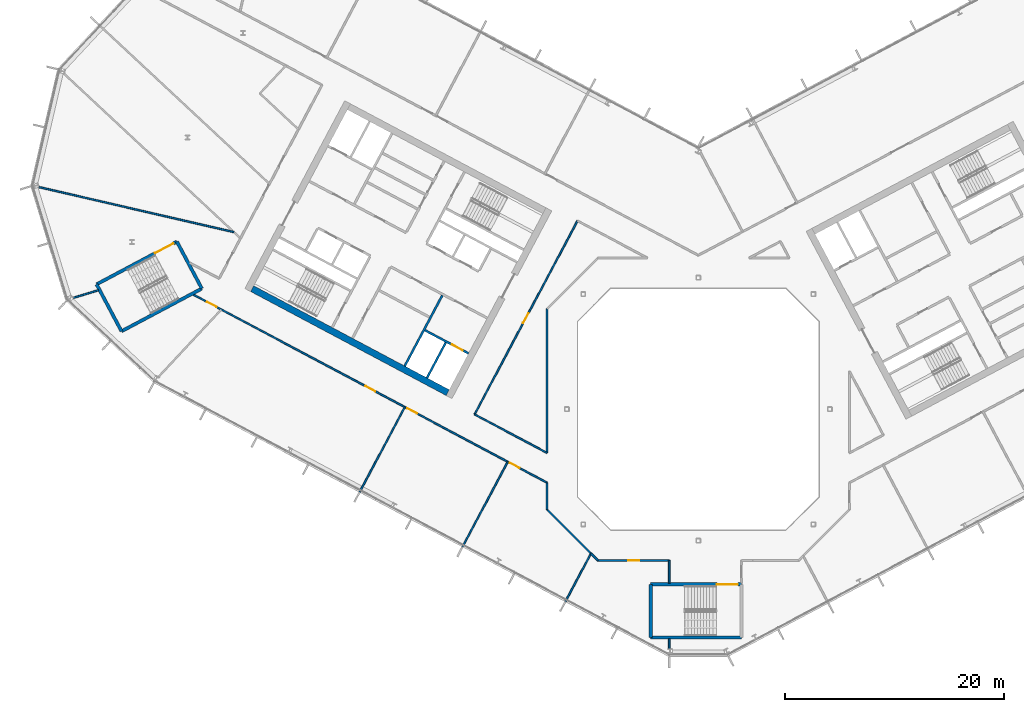
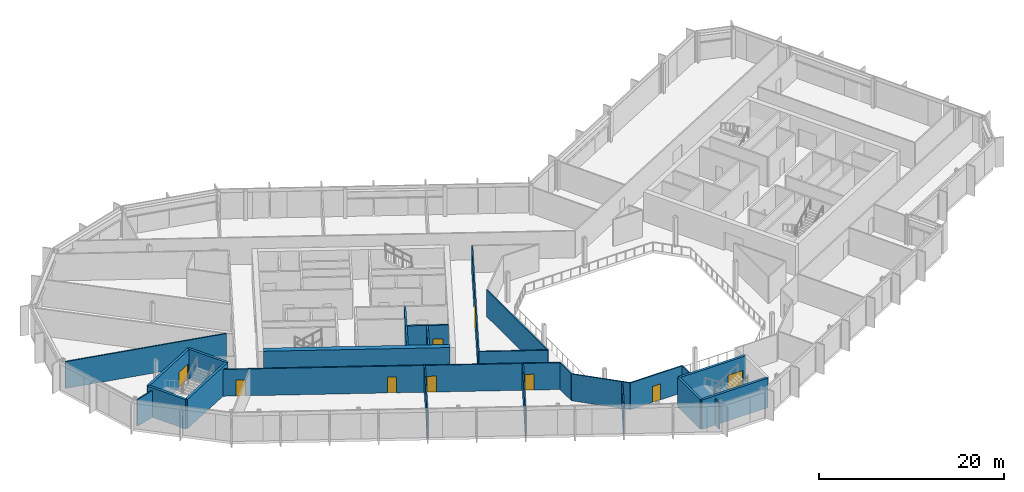
# One storey, part 13 of 27: 26 walls, 9 doors, 9 openings.
"""IFC4 building model written with IfcOpenShell, lengths in metres."""

from ifc_helpers import new_model, si_unit, direction, frame, frame_2d, origin, place, context, subcontext, project, spatial, rectangle, extrude, material, layer, layer_set, type_object, element, fill, save


model = new_model("IFC4")

# Units and contexts
model_context = context("Model", 3, precision=1e-05, world=origin(), true_north=direction((0.0, 1.0)))
body_context = subcontext(model_context, "Body", "Model", "MODEL_VIEW")
ifc_project = project(units=[si_unit("LENGTHUNIT", "METRE"), si_unit("AREAUNIT", "SQUARE_METRE"), si_unit("VOLUMEUNIT", "CUBIC_METRE"), si_unit("PLANEANGLEUNIT", "RADIAN"), si_unit("MASSUNIT", "GRAM", prefix="KILO")], contexts=[model_context])

# Site, building, storey
site_placement = place(None, origin())
site = spatial("IfcSite", under=ifc_project, at=site_placement, CompositionType="ELEMENT")
building_placement = place(site_placement, origin())
building = spatial("IfcBuilding", under=site, at=building_placement, Name="Cormorant Relay Tower", CompositionType="ELEMENT")
storey_placement = place(building_placement, frame((0.0, 0.0, 209.10009765625)))
storey = spatial("IfcBuildingStorey", under=building, at=storey_placement, Name="L45", CompositionType="ELEMENT", Elevation=209.10009765625)

# Walls
ifc_material_1 = material(Name="Concrete 50 MPa", Category="concrete")
ifc_layer_1 = layer(ifc_material_1, 0.199951171875)
ifc_layer_set_1 = layer_set([ifc_layer_1], Name="Core shaft wall 200")
wall_type_1 = type_object("IfcWallType", Name="Core shaft wall 200", PredefinedType="SHEAR", material=ifc_layer_set_1)
wall_1_placement = place(storey_placement, frame((-23.04296875, 6.07958984375, 0.0), z_axis=(0.0, 0.0, 1.0), x_axis=(-0.469494272526, -0.882935517501, 0.0)))
element("IfcWall", 1, at=wall_1_placement, inside=storey, type_object=wall_type_1, Name="L45 core A shaft wall", PredefinedType="SHEAR", context=body_context, shape_type="SweptSolid", body=[
    extrude(rectangle(XDim=3.64990234375, YDim=0.199951171875, at=frame_2d((1.824951171875, 0.0))), origin(), (0.0, 0.0, 1.0), 3.89990234375),
])
wall_2_placement = place(storey_placement, frame((-23.360107421875, 10.38232421875, 0.0), z_axis=(0.0, 0.0, 1.0), x_axis=(-0.469480409012, -0.88294288918, 0.0)))
element("IfcWall", 2, at=wall_2_placement, inside=storey, type_object=wall_type_1, Name="L45 core A shaft wall", PredefinedType="SHEAR", context=body_context, shape_type="SweptSolid", body=[
    extrude(rectangle(XDim=7.300048828125, YDim=0.199951171875, at=frame_2d((3.64990234375, 0.0))), origin(), (0.0, 0.0, 1.0), 3.89990234375),
])

# Wall, opening, door
wall_3_placement = place(storey_placement, frame((-20.96533203125, 5.088134765625, 0.0), z_axis=(0.0, 0.0, 1.0), x_axis=(-0.882925986334, 0.469512196493, 0.0)))
wall_3 = element("IfcWall", 3, at=wall_3_placement, inside=storey, type_object=wall_type_1, Name="L45 core A shaft wall", PredefinedType="SHEAR", context=body_context, shape_type="SweptSolid", body=[
    extrude(rectangle(XDim=4.5, YDim=0.199951171875, at=frame_2d((2.25, 0.0))), origin(), (0.0, 0.0, 1.0), 3.89990234375),
])
opening_1_placement = place(wall_3_placement, frame((0.60009765625, 0.0, 0.0)))
opening_1 = element("IfcOpeningElement", 4, at=opening_1_placement, cuts=wall_3, Name="Opening LD1-063", PredefinedType="OPENING", context=body_context, shape_type="SweptSolid", body=[
    extrude(rectangle(XDim=1.10009765625, YDim=2.10009765625, at=frame_2d((0.550048828125, 1.050048828125))), frame((0.0, 0.10986328125, 0.0), z_axis=(0.0, -1.0, 0.0), x_axis=(1.0, 0.0, 0.0)), (0.0, 0.0, 1.0), 0.219970703125),
])
ifc_material_2 = material(Name="Stainless steel 316", Category="steel")
door_type_1 = type_object("IfcDoorType", Name="Lift landing door 1100x2100", OperationType="DOUBLE_DOOR_SLIDING", PredefinedType="DOOR", material=ifc_material_2)
door_1_placement = place(opening_1_placement, origin())
door_1 = element("IfcDoor", 5, at=door_1_placement, inside=storey, type_object=door_type_1, Name="FF1 landing door", OperationType="DOUBLE_DOOR_SLIDING", OverallHeight=2.10009765625, OverallWidth=1.10009765625, PredefinedType="DOOR", context=body_context, shape_type="SweptSolid", body=[
    extrude(rectangle(XDim=1.10009765625, YDim=2.10009765625, at=frame_2d((0.550048828125, 1.050048828125))), frame((0.0, 0.02490234375, 0.0), z_axis=(0.0, -1.0, 0.0), x_axis=(1.0, 0.0, 0.0)), (0.0, 0.0, 1.0), 0.050048828125),
])
fill(opening_1, door_1)

# Wall
ifc_material_3 = material(Name="Concrete 50 MPa", Category="concrete")
ifc_layer_2 = layer(ifc_material_3, 0.60009765625)
ifc_layer_set_2 = layer_set([ifc_layer_2], Name="Core wall 600")
wall_type_2 = type_object("IfcWallType", Name="Core wall 600", PredefinedType="SHEAR", material=ifc_layer_set_2)
wall_4_placement = place(storey_placement, frame((-22.86669921875, 1.51220703125, 0.0), z_axis=(0.0, 0.0, 1.0), x_axis=(-0.88294509198, 0.469476266226, 0.0)))
element("IfcWall", 6, at=wall_4_placement, inside=storey, type_object=wall_type_2, Name="L45 core A wall", PredefinedType="SHEAR", context=body_context, shape_type="SweptSolid", body=[
    extrude(rectangle(XDim=20.199951171875, YDim=0.60009765625, at=frame_2d((10.10009765625, 0.0))), origin(), (0.0, 0.0, 1.0), 3.89990234375),
])

# Wall, openings, doors
ifc_material_4 = material(Name="Gypsum board fire partition")
ifc_layer_3 = layer(ifc_material_4, 0.14990234375)
ifc_layer_set_3 = layer_set([ifc_layer_3], Name="Corridor partition 150 EI 60")
wall_type_3 = type_object("IfcWallType", Name="Corridor partition 150 EI 60", PredefinedType="PARTITIONING", material=ifc_layer_set_3)
wall_5_placement = place(storey_placement, frame((-13.800048828125, -6.7060546875, 0.0), z_axis=(0.0, 0.0, 1.0), x_axis=(-0.882947286887, 0.469472138235, 0.0)))
wall_5 = element("IfcWall", 7, at=wall_5_placement, inside=storey, type_object=wall_type_3, Name="wall/L45/part/015", PredefinedType="PARTITIONING", context=body_context, shape_type="SweptSolid", body=[
    extrude(rectangle(XDim=36.57080078125, YDim=0.14990234375, at=frame_2d((18.285400390625, 0.0))), origin(), (0.0, 0.0, 1.0), 3.539794921875),
])
opening_2_placement = place(wall_5_placement, frame((34.14990234375, 0.0, 0.0)))
opening_2 = element("IfcOpeningElement", 8, at=opening_2_placement, cuts=wall_5, Name="Opening DS-114", PredefinedType="OPENING", context=body_context, shape_type="SweptSolid", body=[
    extrude(rectangle(XDim=1.0, YDim=2.10009765625, at=frame_2d((0.5, 1.050048828125))), frame((0.0, 0.0849609375, 0.0), z_axis=(0.0, -1.0, 0.0), x_axis=(1.0, 0.0, 0.0)), (0.0, 0.0, 1.0), 0.169921875),
])
opening_3_placement = place(wall_5_placement, frame((17.75, 0.0, 0.0)))
opening_3 = element("IfcOpeningElement", 9, at=opening_3_placement, cuts=wall_5, Name="Opening DS-128", PredefinedType="OPENING", context=body_context, shape_type="SweptSolid", body=[
    extrude(rectangle(XDim=1.0, YDim=2.10009765625, at=frame_2d((0.5, 1.050048828125))), frame((0.0, 0.0849609375, 0.0), z_axis=(0.0, -1.0, 0.0), x_axis=(1.0, 0.0, 0.0)), (0.0, 0.0, 1.0), 0.169921875),
])
opening_4_placement = place(wall_5_placement, frame((13.449951171875, 0.0, 0.0)))
opening_4 = element("IfcOpeningElement", 10, at=opening_4_placement, cuts=wall_5, Name="Opening DS-129", PredefinedType="OPENING", context=body_context, shape_type="SweptSolid", body=[
    extrude(rectangle(XDim=1.0, YDim=2.10009765625, at=frame_2d((0.5, 1.050048828125))), frame((0.0, 0.0849609375, 0.0), z_axis=(0.0, -1.0, 0.0), x_axis=(1.0, 0.0, 0.0)), (0.0, 0.0, 1.0), 0.169921875),
])
opening_5_placement = place(wall_5_placement, frame((2.85009765625, 0.0, 0.0)))
opening_5 = element("IfcOpeningElement", 11, at=opening_5_placement, cuts=wall_5, Name="Opening DS-130", PredefinedType="OPENING", context=body_context, shape_type="SweptSolid", body=[
    extrude(rectangle(XDim=1.0, YDim=2.10009765625, at=frame_2d((0.5, 1.050048828125))), frame((0.0, 0.0849609375, 0.0), z_axis=(0.0, -1.0, 0.0), x_axis=(1.0, 0.0, 0.0)), (0.0, 0.0, 1.0), 0.169921875),
])
ifc_material_5 = material(Name="Timber door leaf", Category="wood")
door_type_2 = type_object("IfcDoorType", Name="Suite door 1000x2100", OperationType="SINGLE_SWING_LEFT", PredefinedType="DOOR", material=ifc_material_5)
door_2_placement = place(opening_2_placement, origin())
door_2 = element("IfcDoor", 12, at=door_2_placement, inside=storey, type_object=door_type_2, Name="door/L45/009", OperationType="SINGLE_SWING_LEFT", OverallHeight=2.10009765625, OverallWidth=1.0, PredefinedType="DOOR", context=body_context, shape_type="SweptSolid", body=[
    extrude(rectangle(XDim=1.0, YDim=2.10009765625, at=frame_2d((0.5, 1.050048828125))), frame((0.0, 0.02490234375, 0.0), z_axis=(0.0, -1.0, 0.0), x_axis=(1.0, 0.0, 0.0)), (0.0, 0.0, 1.0), 0.050048828125),
])
fill(opening_2, door_2)
door_3_placement = place(opening_3_placement, origin())
door_3 = element("IfcDoor", 13, at=door_3_placement, inside=storey, type_object=door_type_2, Name="door/L45/010", OperationType="SINGLE_SWING_LEFT", OverallHeight=2.10009765625, OverallWidth=1.0, PredefinedType="DOOR", context=body_context, shape_type="SweptSolid", body=[
    extrude(rectangle(XDim=1.0, YDim=2.10009765625, at=frame_2d((0.5, 1.050048828125))), frame((0.0, 0.02490234375, 0.0), z_axis=(0.0, -1.0, 0.0), x_axis=(1.0, 0.0, 0.0)), (0.0, 0.0, 1.0), 0.050048828125),
])
fill(opening_3, door_3)
door_4_placement = place(opening_4_placement, origin())
door_4 = element("IfcDoor", 14, at=door_4_placement, inside=storey, type_object=door_type_2, Name="door/L45/011", OperationType="SINGLE_SWING_RIGHT", OverallHeight=2.10009765625, OverallWidth=1.0, PredefinedType="DOOR", context=body_context, shape_type="SweptSolid", body=[
    extrude(rectangle(XDim=1.0, YDim=2.10009765625, at=frame_2d((0.5, 1.050048828125))), frame((0.0, 0.02490234375, 0.0), z_axis=(0.0, -1.0, 0.0), x_axis=(1.0, 0.0, 0.0)), (0.0, 0.0, 1.0), 0.050048828125),
])
fill(opening_4, door_4)
door_5_placement = place(opening_5_placement, origin())
door_5 = element("IfcDoor", 15, at=door_5_placement, inside=storey, type_object=door_type_2, Name="door/L45/012", OperationType="SINGLE_SWING_RIGHT", OverallHeight=2.10009765625, OverallWidth=1.0, PredefinedType="DOOR", context=body_context, shape_type="SweptSolid", body=[
    extrude(rectangle(XDim=1.0, YDim=2.10009765625, at=frame_2d((0.5, 1.050048828125))), frame((0.0, 0.02490234375, 0.0), z_axis=(0.0, -1.0, 0.0), x_axis=(1.0, 0.0, 0.0)), (0.0, 0.0, 1.0), 0.050048828125),
])
fill(opening_5, door_5)

# Walls
wall_6_placement = place(storey_placement, frame((-9.759033203125, -13.199951171875, 0.0), z_axis=(0.0, 0.0, 1.0), x_axis=(-0.707192226993, 0.707021325053, 0.0)))
element("IfcWall", 16, at=wall_6_placement, inside=storey, type_object=wall_type_3, Name="wall/L45/part/021", PredefinedType="PARTITIONING", context=body_context, shape_type="SweptSolid", body=[
    extrude(rectangle(XDim=5.714111328125, YDim=0.14990234375, at=frame_2d((2.85693359375, 0.0))), origin(), (0.0, 0.0, 1.0), 3.539794921875),
])
wall_7_placement = place(storey_placement, frame((-13.800048828125, -9.159912109375, 0.0), z_axis=(0.0, 0.0, 1.0), x_axis=(0.0, 1.0, 0.0)))
element("IfcWall", 17, at=wall_7_placement, inside=storey, type_object=wall_type_3, Name="wall/L45/part/022", PredefinedType="PARTITIONING", context=body_context, shape_type="SweptSolid", body=[
    extrude(rectangle(XDim=2.43701171875, YDim=0.14990234375, at=frame_2d((1.218505859375, 0.0))), origin(), (0.0, 0.0, 1.0), 3.539794921875),
])

# Wall, opening, door
wall_8_placement = place(storey_placement, frame((-2.64892578125, -13.800048828125, 0.0), z_axis=(0.0, 0.0, 1.0), x_axis=(-1.0, 0.0, 0.0)))
wall_8 = element("IfcWall", 18, at=wall_8_placement, inside=storey, type_object=wall_type_3, Name="wall/L45/part/025", PredefinedType="PARTITIONING", context=body_context, shape_type="SweptSolid", body=[
    extrude(rectangle(XDim=6.510986328125, YDim=0.14990234375, at=frame_2d((3.25537109375, 0.0))), origin(), (0.0, 0.0, 1.0), 3.539794921875),
])
opening_6_placement = place(wall_8_placement, frame((2.75, 0.0, 0.0)))
opening_6 = element("IfcOpeningElement", 19, at=opening_6_placement, cuts=wall_8, Name="Opening DS-131", PredefinedType="OPENING", context=body_context, shape_type="SweptSolid", body=[
    extrude(rectangle(XDim=1.0, YDim=2.10009765625, at=frame_2d((0.5, 1.050048828125))), frame((0.0, 0.0849609375, 0.0), z_axis=(0.0, -1.0, 0.0), x_axis=(1.0, 0.0, 0.0)), (0.0, 0.0, 1.0), 0.169921875),
])
door_6_placement = place(opening_6_placement, origin())
door_6 = element("IfcDoor", 20, at=door_6_placement, inside=storey, type_object=door_type_2, Name="door/L45/013", OperationType="SINGLE_SWING_LEFT", OverallHeight=2.10009765625, OverallWidth=1.0, PredefinedType="DOOR", context=body_context, shape_type="SweptSolid", body=[
    extrude(rectangle(XDim=1.0, YDim=2.10009765625, at=frame_2d((0.5, 1.050048828125))), frame((0.0, 0.02490234375, 0.0), z_axis=(0.0, -1.0, 0.0), x_axis=(1.0, 0.0, 0.0)), (0.0, 0.0, 1.0), 0.050048828125),
])
fill(opening_6, door_6)

# Walls
wall_9_placement = place(storey_placement, frame((-9.791015625, -13.1689453125, 0.0), z_axis=(0.0, 0.0, 1.0), x_axis=(0.707653231313, -0.706559908438, 0.0)))
element("IfcWall", 21, at=wall_9_placement, inside=storey, type_object=wall_type_3, Name="wall/L45/part/026", PredefinedType="PARTITIONING", context=body_context, shape_type="SweptSolid", body=[
    extrude(rectangle(XDim=0.893310546875, YDim=0.14990234375, at=frame_2d((0.44677734375, 0.0))), origin(), (0.0, 0.0, 1.0), 3.539794921875),
])
wall_10_placement = place(storey_placement, frame((-2.64892578125, -13.800048828125, 0.0), z_axis=(0.0, 0.0, 1.0), x_axis=(0.0, -1.0, 0.0)))
element("IfcWall", 22, at=wall_10_placement, inside=storey, type_object=wall_type_3, Name="wall/L45/part/027", PredefinedType="PARTITIONING", context=body_context, shape_type="SweptSolid", body=[
    extrude(rectangle(XDim=2.074951171875, YDim=0.14990234375, at=frame_2d((1.03759765625, 0.0))), origin(), (0.0, 0.0, 1.0), 3.539794921875),
])

# Wall, opening, door
wall_11_placement = place(storey_placement, frame((-20.410888671875, -0.472900390625, 0.0), z_axis=(0.0, 0.0, 1.0), x_axis=(0.469451816494, 0.882958091865, 0.0)))
wall_11 = element("IfcWall", 23, at=wall_11_placement, inside=storey, type_object=wall_type_3, Name="wall/L45/part/044", PredefinedType="PARTITIONING", context=body_context, shape_type="SweptSolid", body=[
    extrude(rectangle(XDim=19.999755859375, YDim=0.14990234375, at=frame_2d((10.0, 0.0))), origin(), (0.0, 0.0, 1.0), 3.539794921875),
])
opening_7_placement = place(wall_11_placement, frame((9.449951171875, 0.0, 0.0)))
opening_7 = element("IfcOpeningElement", 24, at=opening_7_placement, cuts=wall_11, Name="Opening DS-132", PredefinedType="OPENING", context=body_context, shape_type="SweptSolid", body=[
    extrude(rectangle(XDim=1.0, YDim=2.10009765625, at=frame_2d((0.5, 1.050048828125))), frame((0.0, 0.0849609375, 0.0), z_axis=(0.0, -1.0, 0.0), x_axis=(1.0, 0.0, 0.0)), (0.0, 0.0, 1.0), 0.169921875),
])
door_7_placement = place(opening_7_placement, frame((1.0, 0.0, 0.0), z_axis=(0.0, 0.0, 1.0), x_axis=(-1.0, 0.0, 0.0)))
door_7 = element("IfcDoor", 25, at=door_7_placement, inside=storey, type_object=door_type_2, Name="door/L45/014", OperationType="SINGLE_SWING_LEFT", OverallHeight=2.10009765625, OverallWidth=1.0, PredefinedType="DOOR", context=body_context, shape_type="SweptSolid", body=[
    extrude(rectangle(XDim=1.0, YDim=2.10009765625, at=frame_2d((0.5, 1.050048828125))), frame((0.0, 0.02490234375, 0.0), z_axis=(0.0, -1.0, 0.0), x_axis=(1.0, 0.0, 0.0)), (0.0, 0.0, 1.0), 0.050048828125),
])
fill(opening_7, door_7)

# Walls
wall_12_placement = place(storey_placement, frame((-13.800048828125, 9.159912109375, 0.0), z_axis=(0.0, 0.0, 1.0), x_axis=(0.0, -1.0, 0.0)))
element("IfcWall", 26, at=wall_12_placement, inside=storey, type_object=wall_type_3, Name="wall/L45/part/048", PredefinedType="PARTITIONING", context=body_context, shape_type="SweptSolid", body=[
    extrude(rectangle(XDim=13.14794921875, YDim=0.14990234375, at=frame_2d((6.573974609375, 0.0))), origin(), (0.0, 0.0, 1.0), 3.539794921875),
])
wall_13_placement = place(storey_placement, frame((-13.800048828125, -3.988037109375, 0.0), z_axis=(0.0, 0.0, 1.0), x_axis=(-0.88294256459, 0.469481019461, 0.0)))
element("IfcWall", 27, at=wall_13_placement, inside=storey, type_object=wall_type_3, Name="wall/L45/part/049", PredefinedType="PARTITIONING", context=body_context, shape_type="SweptSolid", body=[
    extrude(rectangle(XDim=7.4873046875, YDim=0.14990234375, at=frame_2d((3.74365234375, 0.0))), origin(), (0.0, 0.0, 1.0), 3.539794921875),
])
ifc_material_6 = material(Name="Concrete 50 MPa", Category="concrete")
ifc_layer_4 = layer(ifc_material_6, 0.300048828125)
ifc_layer_set_4 = layer_set([ifc_layer_4], Name="Remote stair wall 300")
wall_type_4 = type_object("IfcWallType", Name="Remote stair wall 300", PredefinedType="SHEAR", material=ifc_layer_set_4)
wall_14_placement = place(storey_placement, frame((3.949951171875, -20.824951171875, 0.0), z_axis=(0.0, 0.0, 1.0), x_axis=(-1.0, 0.0, 0.0)))
element("IfcWall", 28, at=wall_14_placement, inside=storey, type_object=wall_type_4, Name="L45 exit stair RK1 wall", PredefinedType="SHEAR", context=body_context, shape_type="SweptSolid", body=[
    extrude(rectangle(XDim=8.300048828125, YDim=0.300048828125, at=frame_2d((4.14990234375, 0.0))), origin(), (0.0, 0.0, 1.0), 3.89990234375),
])
wall_15_placement = place(storey_placement, frame((-4.35009765625, -20.824951171875, 0.0), z_axis=(0.0, 0.0, 1.0), x_axis=(0.0, 1.0, 0.0)))
element("IfcWall", 29, at=wall_15_placement, inside=storey, type_object=wall_type_4, Name="L45 exit stair RK1 wall", PredefinedType="SHEAR", context=body_context, shape_type="SweptSolid", body=[
    extrude(rectangle(XDim=4.849853515625, YDim=0.300048828125, at=frame_2d((2.4248046875, 0.0))), origin(), (0.0, 0.0, 1.0), 3.89990234375),
])

# Wall, opening, door
wall_16_placement = place(storey_placement, frame((-4.35009765625, -15.97509765625, 0.0), z_axis=(0.0, 0.0, 1.0), x_axis=(1.0, 0.0, 0.0)))
wall_16 = element("IfcWall", 30, at=wall_16_placement, inside=storey, type_object=wall_type_4, Name="L45 exit stair RK1 wall", PredefinedType="SHEAR", context=body_context, shape_type="SweptSolid", body=[
    extrude(rectangle(XDim=8.300048828125, YDim=0.300048828125, at=frame_2d((4.14990234375, 0.0))), origin(), (0.0, 0.0, 1.0), 3.89990234375),
])
opening_8_placement = place(wall_16_placement, frame((6.050048828125, 0.0, 0.0)))
opening_8 = element("IfcOpeningElement", 31, at=opening_8_placement, cuts=wall_16, Name="Opening CDE-014", PredefinedType="OPENING", context=body_context, shape_type="SweptSolid", body=[
    extrude(rectangle(XDim=1.89990234375, YDim=2.10009765625, at=frame_2d((0.949951171875, 1.050048828125))), frame((0.0, 0.159912109375, 0.0), z_axis=(0.0, -1.0, 0.0), x_axis=(1.0, 0.0, 0.0)), (0.0, 0.0, 1.0), 0.320068359375),
])
ifc_material_7 = material(Name="Steel fire door", Category="steel")
door_type_3 = type_object("IfcDoorType", Name="Remote stair door 1900x2100", OperationType="DOUBLE_DOOR_SINGLE_SWING", PredefinedType="DOOR", material=ifc_material_7)
door_8_placement = place(opening_8_placement, frame((1.89990234375, 0.0, 0.0), z_axis=(0.0, 0.0, 1.0), x_axis=(-1.0, 0.0, 0.0)))
door_8 = element("IfcDoor", 32, at=door_8_placement, inside=storey, type_object=door_type_3, Name="Exit stair RK1 door", OperationType="DOUBLE_DOOR_SINGLE_SWING", OverallHeight=2.10009765625, OverallWidth=1.89990234375, PredefinedType="DOOR", context=body_context, shape_type="SweptSolid", body=[
    extrude(rectangle(XDim=1.89990234375, YDim=2.10009765625, at=frame_2d((0.949951171875, 1.050048828125))), frame((0.0, 0.02490234375, 0.0), z_axis=(0.0, -1.0, 0.0), x_axis=(1.0, 0.0, 0.0)), (0.0, 0.0, 1.0), 0.050048828125),
])
fill(opening_8, door_8)

# Walls
wall_17_placement = place(storey_placement, frame((-47.57421875, 15.28955078125, 0.0), z_axis=(0.0, 0.0, 1.0), x_axis=(0.469443498566, -0.882962514297, 0.0)))
element("IfcWall", 33, at=wall_17_placement, inside=storey, type_object=wall_type_4, Name="L45 exit stair RP1 wall", PredefinedType="SHEAR", context=body_context, shape_type="SweptSolid", body=[
    extrude(rectangle(XDim=4.85009765625, YDim=0.300048828125, at=frame_2d((2.425048828125, 0.0))), origin(), (0.0, 0.0, 1.0), 3.89990234375),
])
wall_18_placement = place(storey_placement, frame((-45.29736328125, 11.007080078125, 0.0), z_axis=(0.0, 0.0, 1.0), x_axis=(-0.882951519127, -0.469464178475, 0.0)))
element("IfcWall", 34, at=wall_18_placement, inside=storey, type_object=wall_type_4, Name="L45 exit stair RP1 wall", PredefinedType="SHEAR", context=body_context, shape_type="SweptSolid", body=[
    extrude(rectangle(XDim=8.2998046875, YDim=0.300048828125, at=frame_2d((4.14990234375, 0.0))), origin(), (0.0, 0.0, 1.0), 3.89990234375),
])
wall_19_placement = place(storey_placement, frame((-52.625732421875, 7.110595703125, 0.0), z_axis=(0.0, 0.0, 1.0), x_axis=(-0.469464364128, 0.882951420416, 0.0)))
element("IfcWall", 35, at=wall_19_placement, inside=storey, type_object=wall_type_4, Name="L45 exit stair RP1 wall", PredefinedType="SHEAR", context=body_context, shape_type="SweptSolid", body=[
    extrude(rectangle(XDim=4.849853515625, YDim=0.300048828125, at=frame_2d((2.4248046875, 0.0))), origin(), (0.0, 0.0, 1.0), 3.89990234375),
])

# Wall, opening, door
wall_20_placement = place(storey_placement, frame((-54.902587890625, 11.392822265625, 0.0), z_axis=(0.0, 0.0, 1.0), x_axis=(0.882939326045, 0.469487110071, 0.0)))
wall_20 = element("IfcWall", 36, at=wall_20_placement, inside=storey, type_object=wall_type_4, Name="L45 exit stair RP1 wall", PredefinedType="SHEAR", context=body_context, shape_type="SweptSolid", body=[
    extrude(rectangle(XDim=8.300048828125, YDim=0.300048828125, at=frame_2d((4.14990234375, 0.0))), origin(), (0.0, 0.0, 1.0), 3.89990234375),
])
opening_9_placement = place(wall_20_placement, frame((6.050048828125, 0.0, 0.0)))
opening_9 = element("IfcOpeningElement", 37, at=opening_9_placement, cuts=wall_20, Name="Opening CDE-015", PredefinedType="OPENING", context=body_context, shape_type="SweptSolid", body=[
    extrude(rectangle(XDim=1.89990234375, YDim=2.10009765625, at=frame_2d((0.949951171875, 1.050048828125))), frame((0.0, 0.159912109375, 0.0), z_axis=(0.0, -1.0, 0.0), x_axis=(1.0, 0.0, 0.0)), (0.0, 0.0, 1.0), 0.320068359375),
])
door_9_placement = place(opening_9_placement, frame((1.89990234375, 0.0, 0.0), z_axis=(0.0, 0.0, 1.0), x_axis=(-1.0, 0.0, 0.0)))
door_9 = element("IfcDoor", 38, at=door_9_placement, inside=storey, type_object=door_type_3, Name="Exit stair RP1 door", OperationType="DOUBLE_DOOR_SINGLE_SWING", OverallHeight=2.10009765625, OverallWidth=1.89990234375, PredefinedType="DOOR", context=body_context, shape_type="SweptSolid", body=[
    extrude(rectangle(XDim=1.89990234375, YDim=2.10009765625, at=frame_2d((0.949951171875, 1.050048828125))), frame((0.0, 0.02490234375, 0.0), z_axis=(0.0, -1.0, 0.0), x_axis=(1.0, 0.0, 0.0)), (0.0, 0.0, 1.0), 0.050048828125),
])
fill(opening_9, door_9)

# Walls
ifc_material_8 = material(Name="Gypsum board partition")
ifc_layer_5 = layer(ifc_material_8, 0.14990234375)
ifc_layer_set_5 = layer_set([ifc_layer_5], Name="Tenant partition 150")
wall_type_5 = type_object("IfcWallType", Name="Tenant partition 150", PredefinedType="PARTITIONING", material=ifc_layer_set_5)
wall_21_placement = place(storey_placement, frame((-60.162109375, 20.264892578125, 0.0), z_axis=(0.0, 0.0, 1.0), x_axis=(0.974367298847, -0.224963034603, 0.0)))
element("IfcWall", 39, at=wall_21_placement, inside=storey, type_object=wall_type_5, Name="wall/L45/part/001", PredefinedType="PARTITIONING", context=body_context, shape_type="SweptSolid", body=[
    extrude(rectangle(XDim=18.256103515625, YDim=0.14990234375, at=frame_2d((9.1279296875, 0.0))), origin(), (0.0, 0.0, 1.0), 3.539794921875),
])
wall_22_placement = place(storey_placement, frame((-54.73193359375, 10.85693359375, 0.0), z_axis=(0.0, 0.0, 1.0), x_axis=(-0.956308315689, -0.292360061129, 0.0)))
element("IfcWall", 40, at=wall_22_placement, inside=storey, type_object=wall_type_5, Name="wall/L45/part/004", PredefinedType="PARTITIONING", context=body_context, shape_type="SweptSolid", body=[
    extrude(rectangle(XDim=2.36669921875, YDim=0.14990234375, at=frame_2d((1.183349609375, 0.0))), origin(), (0.0, 0.0, 1.0), 3.539794921875),
])
for number, where, z_axis, x_axis, name in (
    (41, (-26.777099609375, 0.194091796875, 0.0), (0.0, 0.0, 1.0), (-0.469510830369, -0.882926712794, 0.0), "wall/L45/part/010"),
    (42, (-17.387939453125, -4.798095703125, 0.0), (0.0, 0.0, 1.0), (-0.469532456729, -0.882915212281, 0.0), "wall/L45/part/018"),
):
    element("IfcWall", number, at=place(storey_placement, frame(where, z_axis=z_axis, x_axis=x_axis)), inside=storey, type_object=wall_type_5, Name=name, PredefinedType="PARTITIONING", context=body_context, shape_type="SweptSolid", body=[
        extrude(rectangle(XDim=8.80029296875, YDim=0.14990234375, at=frame_2d((4.400146484375, 0.0))), origin(), (0.0, 0.0, 1.0), 3.539794921875),
    ])
wall_23_placement = place(storey_placement, frame((-9.7939453125, -13.1650390625, 0.0), z_axis=(0.0, 0.0, 1.0), x_axis=(-0.469669090987, -0.882842536906, 0.0)))
element("IfcWall", 43, at=wall_23_placement, inside=storey, type_object=wall_type_5, Name="wall/L45/part/023", PredefinedType="PARTITIONING", context=body_context, shape_type="SweptSolid", body=[
    extrude(rectangle(XDim=4.978271484375, YDim=0.14990234375, at=frame_2d((2.4892578125, 0.0))), origin(), (0.0, 0.0, 1.0), 3.539794921875),
])
wall_24_placement = place(storey_placement, frame((-2.64892578125, -20.925048828125, 0.0), z_axis=(0.0, 0.0, 1.0), x_axis=(0.0, -1.0, 0.0)))
element("IfcWall", 44, at=wall_24_placement, inside=storey, type_object=wall_type_5, Name="wall/L45/part/028", PredefinedType="PARTITIONING", context=body_context, shape_type="SweptSolid", body=[
    extrude(rectangle(XDim=0.94189453125, YDim=0.14990234375, at=frame_2d((0.470947265625, 0.0))), origin(), (0.0, 0.0, 1.0), 3.539794921875),
])

save(model, "model.ifc")
